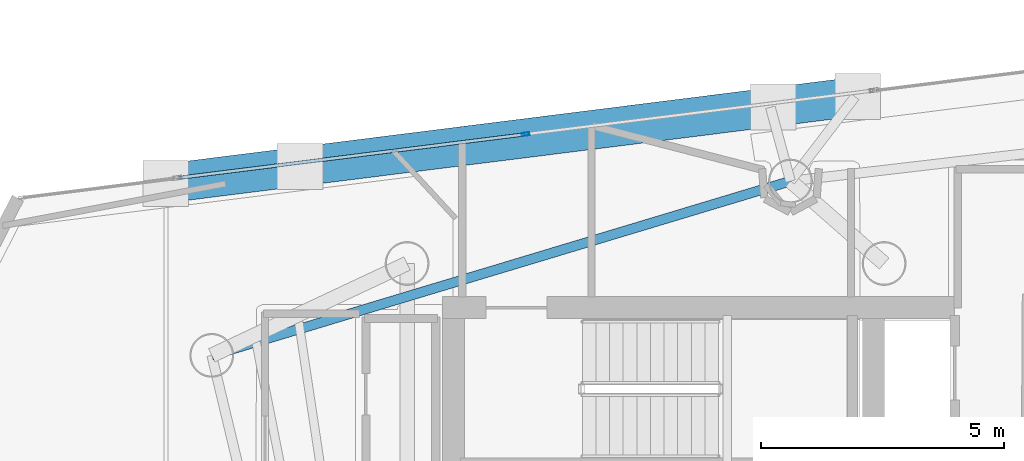
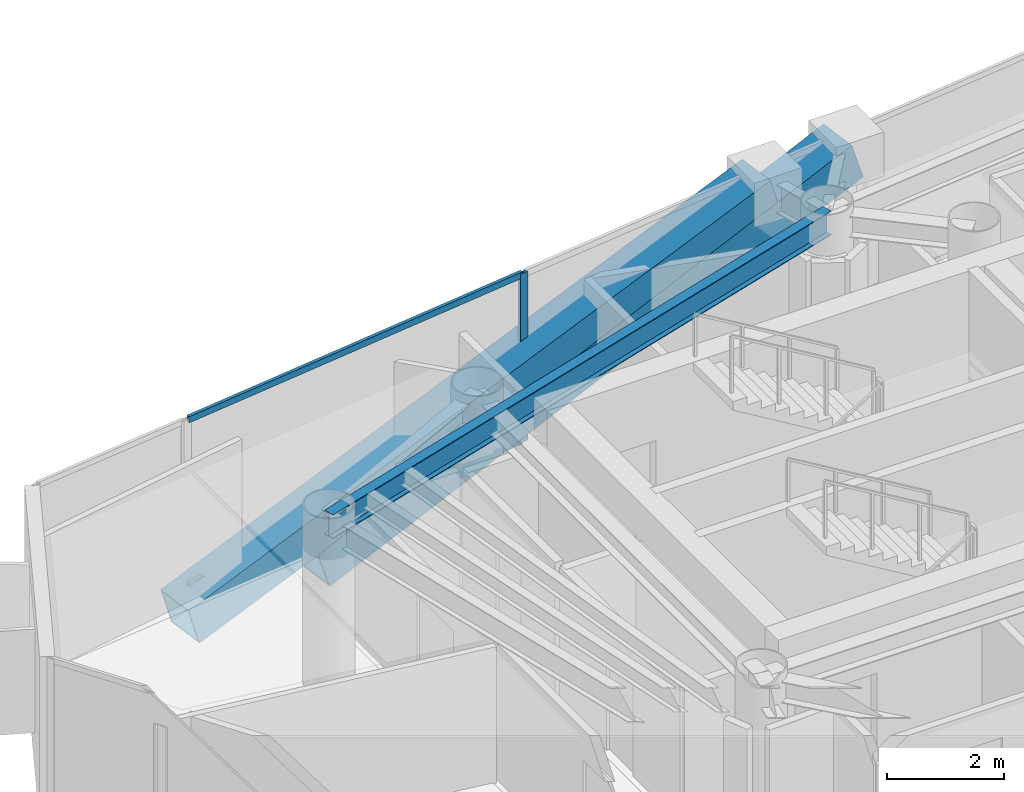
# One storey, part 11 of 23: 5 members, 1 beam, 1 element without a shape of its own.
"""IFC4 building model written with IfcOpenShell, lengths in metres."""

from ifc_helpers import new_model, si_unit, direction, frame, origin, origin_2d, place, context, subcontext, project, spatial, hollow_rectangle, i_section, extrude, material, layer, layer_set, material_profile, profile_set, type_object, element, aggregate, save


model = new_model("IFC4")

# Units and contexts
model_context = context("Model", 3, precision=1e-05, world=origin(), true_north=direction((0.0, 1.0)))
body_context = subcontext(model_context, "Body", "Model", "MODEL_VIEW")
ifc_project = project(units=[si_unit("LENGTHUNIT", "METRE"), si_unit("AREAUNIT", "SQUARE_METRE"), si_unit("VOLUMEUNIT", "CUBIC_METRE"), si_unit("PLANEANGLEUNIT", "RADIAN"), si_unit("MASSUNIT", "GRAM", prefix="KILO")], contexts=[model_context])

# Site, building, storey
site_placement = place(None, origin())
site = spatial("IfcSite", under=ifc_project, at=site_placement, CompositionType="ELEMENT")
building_placement = place(site_placement, origin())
building = spatial("IfcBuilding", under=site, at=building_placement, Name="Qianvela Tower", CompositionType="ELEMENT")
storey_placement = place(building_placement, frame((0.0, 0.0, 284.300048828125)))
storey = spatial("IfcBuildingStorey", under=building, at=storey_placement, Name="L73", CompositionType="ELEMENT", Elevation=284.300048828125)

# Beam
ifc_material_1 = material(Name="Steel Q355B", Category="steel")
ifc_material_profile_1 = material_profile(ifc_material_1, i_section(OverallWidth=0.199951171875, OverallDepth=0.5, WebThickness=0.010009765625, FlangeThickness=0.01611328125, at=origin_2d()), Name="HN500x200x10x16")
ifc_profile_set_1 = profile_set([ifc_material_profile_1], Name="Steel Q355B")
beam_type = type_object("IfcBeamType", Name="BM-HN500-GIRD", PredefinedType="BEAM", material=ifc_profile_set_1)
beam_placement = place(storey_placement, frame((36.47607421875, 35.242919921875, 3.26806640625), z_axis=(-0.957535726794, -0.288314640478, 0.0), x_axis=(0.288314640478, -0.957535726794, 0.0)))
element("IfcBeam", 1, at=beam_placement, inside=storey, type_object=beam_type, Name="L73 Perimeter Ring Spandrel Girder 2", PredefinedType="BEAM", context=body_context, shape_type="SweptSolid", body=[
    extrude(i_section(OverallWidth=0.199951171875, OverallDepth=0.5, WebThickness=0.010009765625, FlangeThickness=0.01611328125, at=origin_2d()), origin(), (0.0, 0.0, 1.0), 12.41650390625),
])

# Curtain wall, members
ifc_material_2 = material(Name="Anodised Architectural Aluminium and Insulated Spandrel Panel", Category="aluminium")
ifc_layer = layer(ifc_material_2, 0.179931640625)
ifc_layer_set = layer_set([ifc_layer], Name="Anodised Architectural Aluminium and Insulated Spandrel Panel")
curtain_wall_type = type_object("IfcCurtainWallType", Name="CW-BRACEBAY", PredefinedType="USERDEFINED", material=ifc_layer_set)
curtain_wall_placement = place(storey_placement, origin())
curtain_wall = element("IfcCurtainWall", 2, at=curtain_wall_placement, inside=storey, type_object=curtain_wall_type, Name="L73 CW-BRACEBAY Curtain Wall 02B", ObjectType="CURTAIN_WALL_SYSTEM", PredefinedType="USERDEFINED")
ifc_material_3 = material(Name="Anodised Architectural Aluminium 6063-T6", Category="aluminium")
ifc_material_profile_2 = material_profile(ifc_material_3, hollow_rectangle(XDim=0.06494140625, YDim=0.159912109375, WallThickness=0.0048828125, at=origin_2d()), Name="ALU-MULL-65x160")
ifc_profile_set_2 = profile_set([ifc_material_profile_2], Name="Anodised Architectural Aluminium 6063-T6")
member_type_1 = type_object("IfcMemberType", Name="CW-BRACEBAY-MULL", PredefinedType="MULLION", material=ifc_profile_set_2)
member_1_placement = place(storey_placement, frame((31.036865234375, 36.2060546875, 0.0), z_axis=(0.0, 0.0, 1.0), x_axis=(0.124765685539, -0.992186234389, 0.0)))
member_1 = element("IfcMember", 3, at=member_1_placement, type_object=member_type_1, Name="CW-9 mullion 2", PredefinedType="MULLION", context=body_context, shape_type="SweptSolid", body=[
    extrude(hollow_rectangle(XDim=0.06494140625, YDim=0.159912109375, WallThickness=0.0048828125, at=origin_2d()), origin(), (0.0, 0.0, 1.0), 3.52001953125),
])
ifc_material_4 = material(Name="Anodised Architectural Aluminium 6063-T6", Category="aluminium")
ifc_material_profile_3 = material_profile(ifc_material_4, hollow_rectangle(XDim=0.06494140625, YDim=0.1298828125, WallThickness=0.00439453125, at=origin_2d()), Name="ALU-TRAN-65x130")
ifc_profile_set_3 = profile_set([ifc_material_profile_3], Name="Anodised Architectural Aluminium 6063-T6")
member_type_2 = type_object("IfcMemberType", Name="CW-BRACEBAY-TRAN", PredefinedType="USERDEFINED", material=ifc_profile_set_3)
member_2_placement = place(storey_placement, frame((31.004638671875, 36.201904296875, 0.032470703125), z_axis=(-0.992186634405, -0.124762504412, 0.0), x_axis=(0.124762504412, -0.992186634405, 0.0)))
member_2 = element("IfcMember", 4, at=member_2_placement, type_object=member_type_2, Name="CW-9 transom 2.1", ObjectType="TRANSOM", PredefinedType="USERDEFINED", context=body_context, shape_type="SweptSolid", body=[
    extrude(hollow_rectangle(XDim=0.06494140625, YDim=0.1298828125, WallThickness=0.00439453125, at=origin_2d()), origin(), (0.0, 0.0, 1.0), 7.142578125),
])
member_3_placement = place(storey_placement, frame((31.004638671875, 36.201904296875, 3.487548828125), z_axis=(-0.992186634405, -0.124762504412, 0.0), x_axis=(0.124762504412, -0.992186634405, 0.0)))
member_3 = element("IfcMember", 5, at=member_3_placement, type_object=member_type_2, Name="CW-9 transom 2.2", ObjectType="TRANSOM", PredefinedType="USERDEFINED", context=body_context, shape_type="SweptSolid", body=[
    extrude(hollow_rectangle(XDim=0.06494140625, YDim=0.1298828125, WallThickness=0.00439453125, at=origin_2d()), origin(), (0.0, 0.0, 1.0), 7.142578125),
])
aggregate(curtain_wall, [member_1, member_2, member_3])

# Members
ifc_material_5 = material(Name="Steel Q420GJC", Category="steel")
ifc_material_profile_4 = material_profile(ifc_material_5, hollow_rectangle(XDim=0.800048828125, YDim=0.800048828125, WallThickness=0.028076171875, at=origin_2d()), Name="MBOX-800x800x28")
ifc_profile_set_4 = profile_set([ifc_material_profile_4], Name="Steel Q420GJC")
member_type_3 = type_object("IfcMemberType", Name="MBR-MBRACE-800", PredefinedType="BRACE", material=ifc_profile_set_4)
member_4_placement = place(storey_placement, frame((26.4580078125, 35.549560546875, -0.48193359375), z_axis=(0.943994002526, 0.118700115278, 0.30787271043), x_axis=(-0.124760014086, 0.992186947548, 0.0)))
element("IfcMember", 6, at=member_4_placement, inside=storey, type_object=member_type_3, Name="L73 Tier 12 Exterior Mega-Brace F1A", PredefinedType="BRACE", context=body_context, shape_type="SweptSolid", body=[
    extrude(hollow_rectangle(XDim=0.800048828125, YDim=0.800048828125, WallThickness=0.028076171875, at=origin_2d()), origin(), (0.0, 0.0, 1.0), 12.017822265625),
])
member_5_placement = place(storey_placement, frame((23.6982421875, 35.20263671875, -0.48193359375), z_axis=(0.951155451687, 0.119605699457, 0.284601095191), x_axis=(-0.124765236946, 0.992186290799, 0.0)))
element("IfcMember", 7, at=member_5_placement, inside=storey, type_object=member_type_3, Name="L73 Tier 12 Exterior Mega-Brace F1B", PredefinedType="BRACE", context=body_context, shape_type="SweptSolid", body=[
    extrude(hollow_rectangle(XDim=0.800048828125, YDim=0.800048828125, WallThickness=0.028076171875, at=origin_2d()), origin(), (0.0, 0.0, 1.0), 13.00048828125),
])

save(model, "model.ifc")
